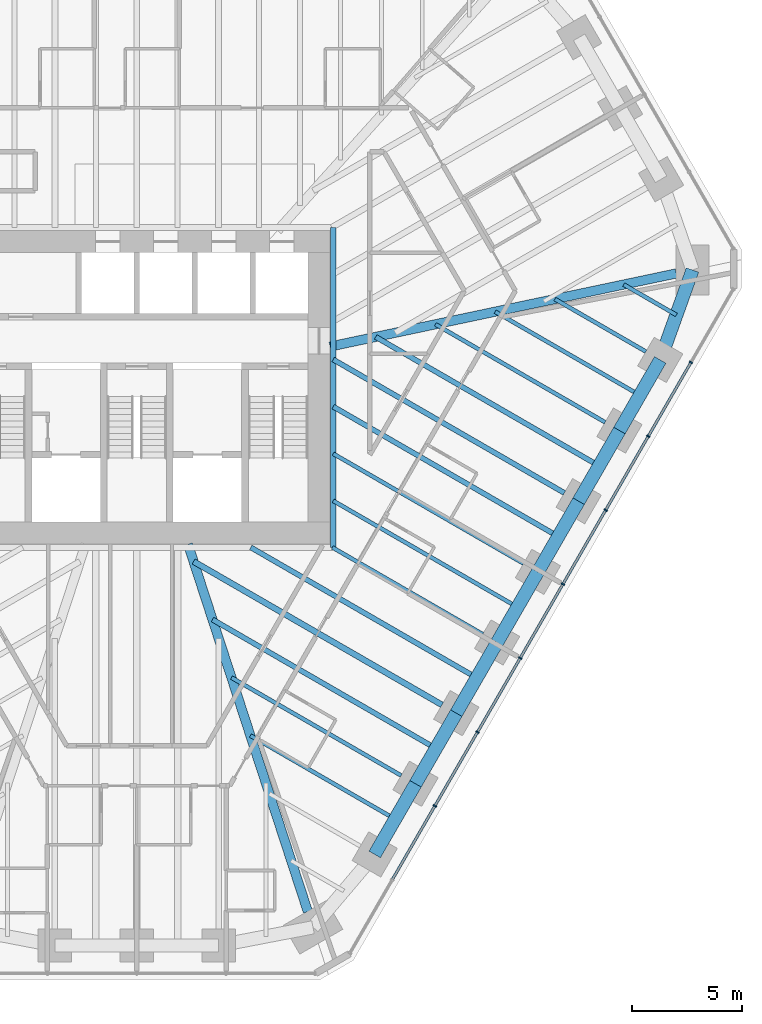
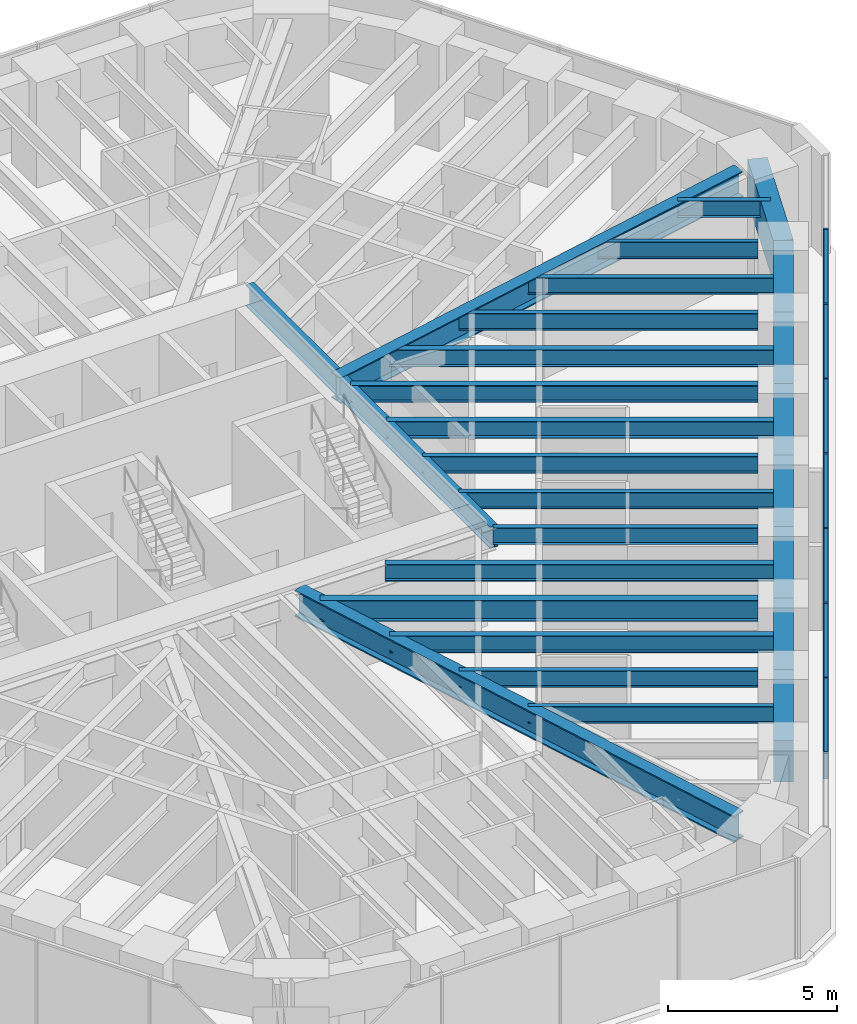
# One storey, part 5 of 16: 26 beams, 14 members, 1 element without a shape of its own.
"""IFC4 building model written with IfcOpenShell, lengths in metres."""

from ifc_helpers import new_model, si_unit, direction, frame, origin, origin_2d, place, context, subcontext, project, spatial, rectangle, i_section, extrude, material, material_profile, profile_set, type_object, element, aggregate, save


model = new_model("IFC4")

# Units and contexts
model_context = context("Model", 3, precision=1e-05, world=origin(), true_north=direction((0.0, 1.0)))
body_context = subcontext(model_context, "Body", "Model", "MODEL_VIEW")
ifc_project = project(units=[si_unit("LENGTHUNIT", "METRE"), si_unit("AREAUNIT", "SQUARE_METRE"), si_unit("VOLUMEUNIT", "CUBIC_METRE"), si_unit("PLANEANGLEUNIT", "RADIAN"), si_unit("MASSUNIT", "GRAM", prefix="KILO")], contexts=[model_context])

# Site, building, storey
site_placement = place(None, origin())
site = spatial("IfcSite", under=ifc_project, at=site_placement, CompositionType="ELEMENT")
building_placement = place(site_placement, origin())
building = spatial("IfcBuilding", under=site, at=building_placement, Name="Sandreach Pilgrim Tower", CompositionType="ELEMENT")
storey_placement = place(building_placement, frame((0.0, 0.0, 190.800048828125)))
storey = spatial("IfcBuildingStorey", under=building, at=storey_placement, Name="L47", CompositionType="ELEMENT", Elevation=190.800048828125)

# Curtain wall, members
ifc_material_1 = material(Name="Aluminium framed curtain wall", Category="aluminium")
curtain_wall_type = type_object("IfcCurtainWallType", Name="Upper hotel tower curtain wall", PredefinedType="NOTDEFINED", material=ifc_material_1)
curtain_wall_placement = place(storey_placement, origin())
curtain_wall = element("IfcCurtainWall", 1, at=curtain_wall_placement, inside=storey, type_object=curtain_wall_type, Name="CW-3 L47 SE", PredefinedType="NOTDEFINED")
ifc_material_2 = material(Name="Aluminium extrusion", Category="aluminium")
ifc_material_profile_1 = material_profile(ifc_material_2, rectangle(XDim=0.06494140625, YDim=0.159912109375, at=origin_2d()), Name="CW-3M 65X160")
ifc_profile_set_1 = profile_set([ifc_material_profile_1], Name="Aluminium extrusion")
member_type_1 = type_object("IfcMemberType", Name="CW-3 mullion", PredefinedType="MULLION", material=ifc_profile_set_1)
member_1_placement = place(storey_placement, frame((25.087890625, 1.13330078125, 0.0), z_axis=(0.0, 0.0, 1.0), x_axis=(-0.5, -0.866025403784, 0.0)))
member_1 = element("IfcMember", 2, at=member_1_placement, type_object=member_type_1, Name="CW-3 mullion 2", PredefinedType="MULLION", context=body_context, shape_type="SweptSolid", body=[
    extrude(rectangle(XDim=0.06494140625, YDim=0.159912109375, at=origin_2d()), origin(), (0.0, 0.0, 1.0), 3.639892578125),
])
member_2_placement = place(storey_placement, frame((23.15576171875, -2.21337890625, 0.0), z_axis=(0.0, 0.0, 1.0), x_axis=(-0.5, -0.866025403784, 0.0)))
member_2 = element("IfcMember", 3, at=member_2_placement, type_object=member_type_1, Name="CW-3 mullion 3", PredefinedType="MULLION", context=body_context, shape_type="SweptSolid", body=[
    extrude(rectangle(XDim=0.06494140625, YDim=0.159912109375, at=origin_2d()), origin(), (0.0, 0.0, 1.0), 3.639892578125),
])
member_3_placement = place(storey_placement, frame((21.223388671875, -5.56005859375, 0.0), z_axis=(0.0, 0.0, 1.0), x_axis=(-0.5, -0.866025403784, 0.0)))
member_3 = element("IfcMember", 4, at=member_3_placement, type_object=member_type_1, Name="CW-3 mullion 4", PredefinedType="MULLION", context=body_context, shape_type="SweptSolid", body=[
    extrude(rectangle(XDim=0.06494140625, YDim=0.159912109375, at=origin_2d()), origin(), (0.0, 0.0, 1.0), 3.639892578125),
])
member_4_placement = place(storey_placement, frame((19.291259765625, -8.90673828125, 0.0), z_axis=(0.0, 0.0, 1.0), x_axis=(-0.5, -0.866025403784, 0.0)))
member_4 = element("IfcMember", 5, at=member_4_placement, type_object=member_type_1, Name="CW-3 mullion 5", PredefinedType="MULLION", context=body_context, shape_type="SweptSolid", body=[
    extrude(rectangle(XDim=0.06494140625, YDim=0.159912109375, at=origin_2d()), origin(), (0.0, 0.0, 1.0), 3.639892578125),
])
member_5_placement = place(storey_placement, frame((17.359130859375, -12.25341796875, 0.0), z_axis=(0.0, 0.0, 1.0), x_axis=(-0.5, -0.866025403784, 0.0)))
member_5 = element("IfcMember", 6, at=member_5_placement, type_object=member_type_1, Name="CW-3 mullion 6", PredefinedType="MULLION", context=body_context, shape_type="SweptSolid", body=[
    extrude(rectangle(XDim=0.06494140625, YDim=0.159912109375, at=origin_2d()), origin(), (0.0, 0.0, 1.0), 3.639892578125),
])
member_6_placement = place(storey_placement, frame((15.4267578125, -15.60009765625, 0.0), z_axis=(0.0, 0.0, 1.0), x_axis=(-0.5, -0.866025403784, 0.0)))
member_6 = element("IfcMember", 7, at=member_6_placement, type_object=member_type_1, Name="CW-3 mullion 7", PredefinedType="MULLION", context=body_context, shape_type="SweptSolid", body=[
    extrude(rectangle(XDim=0.06494140625, YDim=0.159912109375, at=origin_2d()), origin(), (0.0, 0.0, 1.0), 3.639892578125),
])
member_7_placement = place(storey_placement, frame((13.49462890625, -18.94677734375, 0.0), z_axis=(0.0, 0.0, 1.0), x_axis=(-0.5, -0.866025403784, 0.0)))
member_7 = element("IfcMember", 8, at=member_7_placement, type_object=member_type_1, Name="CW-3 mullion 8", PredefinedType="MULLION", context=body_context, shape_type="SweptSolid", body=[
    extrude(rectangle(XDim=0.06494140625, YDim=0.159912109375, at=origin_2d()), origin(), (0.0, 0.0, 1.0), 3.639892578125),
])
ifc_material_3 = material(Name="Aluminium extrusion", Category="aluminium")
ifc_material_profile_2 = material_profile(ifc_material_3, rectangle(XDim=0.1201171875, YDim=0.070068359375, at=origin_2d()), Name="CW-3T 120X70")
ifc_profile_set_2 = profile_set([ifc_material_profile_2], Name="Aluminium extrusion")
member_type_2 = type_object("IfcMemberType", Name="CW-3 transom", PredefinedType="USERDEFINED", material=ifc_profile_set_2)
member_8_placement = place(storey_placement, frame((25.07177734375, 1.105224609375, 3.60498046875), z_axis=(-0.500022797313, -0.86601224135, 0.0), x_axis=(0.86601224135, -0.500022797313, 0.0)))
member_8 = element("IfcMember", 9, at=member_8_placement, type_object=member_type_2, Name="CW-3 head transom 2", ObjectType="TRANSOM", PredefinedType="USERDEFINED", context=body_context, shape_type="SweptSolid", body=[
    extrude(rectangle(XDim=0.1201171875, YDim=0.070068359375, at=origin_2d()), origin(), (0.0, 0.0, 1.0), 3.799560546875),
])
member_9_placement = place(storey_placement, frame((23.139404296875, -2.241455078125, 3.60498046875), z_axis=(-0.499974606132, -0.866040064445, 0.0), x_axis=(0.866040064445, -0.499974606132, 0.0)))
member_9 = element("IfcMember", 10, at=member_9_placement, type_object=member_type_2, Name="CW-3 head transom 3", ObjectType="TRANSOM", PredefinedType="USERDEFINED", context=body_context, shape_type="SweptSolid", body=[
    extrude(rectangle(XDim=0.1201171875, YDim=0.070068359375, at=origin_2d()), origin(), (0.0, 0.0, 1.0), 3.799560546875),
])
member_10_placement = place(storey_placement, frame((21.207275390625, -5.588134765625, 3.60498046875), z_axis=(-0.499974606132, -0.866040064445, 0.0), x_axis=(0.866040064445, -0.499974606132, 0.0)))
member_10 = element("IfcMember", 11, at=member_10_placement, type_object=member_type_2, Name="CW-3 head transom 4", ObjectType="TRANSOM", PredefinedType="USERDEFINED", context=body_context, shape_type="SweptSolid", body=[
    extrude(rectangle(XDim=0.1201171875, YDim=0.070068359375, at=origin_2d()), origin(), (0.0, 0.0, 1.0), 3.799560546875),
])
member_11_placement = place(storey_placement, frame((19.275146484375, -8.934814453125, 3.60498046875), z_axis=(-0.500022797313, -0.86601224135, 0.0), x_axis=(0.86601224135, -0.500022797313, 0.0)))
member_11 = element("IfcMember", 12, at=member_11_placement, type_object=member_type_2, Name="CW-3 head transom 5", ObjectType="TRANSOM", PredefinedType="USERDEFINED", context=body_context, shape_type="SweptSolid", body=[
    extrude(rectangle(XDim=0.1201171875, YDim=0.070068359375, at=origin_2d()), origin(), (0.0, 0.0, 1.0), 3.799560546875),
])
member_12_placement = place(storey_placement, frame((17.3427734375, -12.281494140625, 3.60498046875), z_axis=(-0.499974606132, -0.866040064445, 0.0), x_axis=(0.866040064445, -0.499974606132, 0.0)))
member_12 = element("IfcMember", 13, at=member_12_placement, type_object=member_type_2, Name="CW-3 head transom 6", ObjectType="TRANSOM", PredefinedType="USERDEFINED", context=body_context, shape_type="SweptSolid", body=[
    extrude(rectangle(XDim=0.1201171875, YDim=0.070068359375, at=origin_2d()), origin(), (0.0, 0.0, 1.0), 3.799560546875),
])
member_13_placement = place(storey_placement, frame((15.41064453125, -15.628173828125, 3.60498046875), z_axis=(-0.499974606132, -0.866040064445, 0.0), x_axis=(0.866040064445, -0.499974606132, 0.0)))
member_13 = element("IfcMember", 14, at=member_13_placement, type_object=member_type_2, Name="CW-3 head transom 7", ObjectType="TRANSOM", PredefinedType="USERDEFINED", context=body_context, shape_type="SweptSolid", body=[
    extrude(rectangle(XDim=0.1201171875, YDim=0.070068359375, at=origin_2d()), origin(), (0.0, 0.0, 1.0), 3.799560546875),
])
member_14_placement = place(storey_placement, frame((13.478515625, -18.974853515625, 3.60498046875), z_axis=(-0.500022797313, -0.86601224135, 0.0), x_axis=(0.86601224135, -0.500022797313, 0.0)))
member_14 = element("IfcMember", 15, at=member_14_placement, type_object=member_type_2, Name="CW-3 head transom 8", ObjectType="TRANSOM", PredefinedType="USERDEFINED", context=body_context, shape_type="SweptSolid", body=[
    extrude(rectangle(XDim=0.1201171875, YDim=0.070068359375, at=origin_2d()), origin(), (0.0, 0.0, 1.0), 3.799560546875),
])
aggregate(curtain_wall, [member_1, member_2, member_3, member_4, member_5, member_6, member_7, member_8, member_9, member_10, member_11, member_12, member_13, member_14])

# Beams
ifc_material_4 = material(Name="Steel ASTM A992 Grade 50", Category="steel")
ifc_material_profile_3 = material_profile(ifc_material_4, i_section(OverallWidth=0.2666015625, OverallDepth=0.77978515625, WebThickness=0.0166015625, FlangeThickness=0.030029296875, at=origin_2d()), Name="W30X148")
ifc_profile_set_3 = profile_set([ifc_material_profile_3], Name="Steel ASTM A992 Grade 50")
beam_type_1 = type_object("IfcBeamType", Name="Core edge beam W30X148", PredefinedType="BEAM", material=ifc_profile_set_3)
beam_1_placement = place(storey_placement, frame((8.893310546875, 7.243408203125, 3.25), z_axis=(0.0, -1.0, 0.0), x_axis=(1.0, 0.0, 0.0)))
element("IfcBeam", 16, at=beam_1_placement, inside=storey, type_object=beam_type_1, Name="BM L47 CEE", PredefinedType="BEAM", context=body_context, shape_type="SweptSolid", body=[
    extrude(i_section(OverallWidth=0.2666015625, OverallDepth=0.77978515625, WebThickness=0.0166015625, FlangeThickness=0.030029296875, at=origin_2d()), origin(), (0.0, 0.0, 1.0), 14.48681640625),
])
ifc_material_5 = material(Name="Steel ASTM A992 Grade 50", Category="steel")
ifc_material_profile_4 = material_profile(ifc_material_5, i_section(OverallWidth=0.421630859375, OverallDepth=0.937255859375, WebThickness=0.0224609375, FlangeThickness=0.039794921875, at=origin_2d()), Name="W36X282")
ifc_profile_set_4 = profile_set([ifc_material_profile_4], Name="Steel ASTM A992 Grade 50")
beam_type_2 = type_object("IfcBeamType", Name="Corner girder W36X282", PredefinedType="BEAM", material=ifc_profile_set_4)
beam_2_placement = place(storey_placement, frame((24.422607421875, 5.156494140625, 3.17138671875), z_axis=(-0.978428978804, -0.206583478132, 0.0), x_axis=(0.206583478132, -0.978428978804, 0.0)))
element("IfcBeam", 17, at=beam_2_placement, inside=storey, type_object=beam_type_2, Name="BM L47 CG13", PredefinedType="BEAM", context=body_context, shape_type="SweptSolid", body=[
    extrude(i_section(OverallWidth=0.421630859375, OverallDepth=0.937255859375, WebThickness=0.0224609375, FlangeThickness=0.039794921875, at=origin_2d()), origin(), (0.0, 0.0, 1.0), 16.01806640625),
])
ifc_material_6 = material(Name="Steel ASTM A992 Grade 50", Category="steel")
ifc_material_profile_5 = material_profile(ifc_material_6, i_section(OverallWidth=0.421630859375, OverallDepth=0.95751953125, WebThickness=0.02587890625, FlangeThickness=0.046875, at=origin_2d()), Name="W36X330")
ifc_profile_set_5 = profile_set([ifc_material_profile_5], Name="Steel ASTM A992 Grade 50")
beam_type_3 = type_object("IfcBeamType", Name="Corner girder W36X330", PredefinedType="BEAM", material=ifc_profile_set_5)
beam_3_placement = place(storey_placement, frame((7.745849609375, -23.72900390625, 3.1611328125), z_axis=(-0.310317870968, 0.950632851819, 0.0), x_axis=(-0.950632851819, -0.310317870968, 0.0)))
element("IfcBeam", 18, at=beam_3_placement, inside=storey, type_object=beam_type_3, Name="BM L47 CG22", PredefinedType="BEAM", context=body_context, shape_type="SweptSolid", body=[
    extrude(i_section(OverallWidth=0.421630859375, OverallDepth=0.95751953125, WebThickness=0.02587890625, FlangeThickness=0.046875, at=origin_2d()), origin(), (0.0, 0.0, 1.0), 17.492431640625),
])
ifc_material_7 = material(Name="Steel ASTM A992 Grade 50", Category="steel")
ifc_material_profile_6 = material_profile(ifc_material_7, i_section(OverallWidth=0.1787109375, OverallDepth=0.60205078125, WebThickness=0.010986328125, FlangeThickness=0.014892578125, at=origin_2d()), Name="W24X62")
ifc_profile_set_6 = profile_set([ifc_material_profile_6], Name="Steel ASTM A992 Grade 50")
beam_type_4 = type_object("IfcBeamType", Name="Floor beam W24X62", PredefinedType="BEAM", material=ifc_profile_set_6)
beam_4_placement = place(storey_placement, frame((23.04638671875, 1.6171875, 3.3388671875), z_axis=(-0.86603347311, 0.499986023258, 0.0), x_axis=(-0.499986023258, -0.86603347311, 0.0)))
element("IfcBeam", 19, at=beam_4_placement, inside=storey, type_object=beam_type_4, Name="BM L47 F14", PredefinedType="BEAM", context=body_context, shape_type="SweptSolid", body=[
    extrude(i_section(OverallWidth=0.1787109375, OverallDepth=0.60205078125, WebThickness=0.010986328125, FlangeThickness=0.014892578125, at=origin_2d()), origin(), (0.0, 0.0, 1.0), 4.757568359375),
])
beam_5_placement = place(storey_placement, frame((21.2001953125, -1.58056640625, 3.3388671875), z_axis=(-0.866027448082, 0.499996459156, 0.0), x_axis=(-0.499996459156, -0.866027448082, 0.0)))
element("IfcBeam", 20, at=beam_5_placement, inside=storey, type_object=beam_type_4, Name="BM L47 F15", PredefinedType="BEAM", context=body_context, shape_type="SweptSolid", body=[
    extrude(i_section(OverallWidth=0.1787109375, OverallDepth=0.60205078125, WebThickness=0.010986328125, FlangeThickness=0.014892578125, at=origin_2d()), origin(), (0.0, 0.0, 1.0), 8.86962890625),
])
beam_6_placement = place(storey_placement, frame((17.507568359375, -7.97607421875, 3.3388671875), z_axis=(-0.866027815265, 0.499995823171, 0.0), x_axis=(-0.499995823171, -0.866027815265, 0.0)))
element("IfcBeam", 21, at=beam_6_placement, inside=storey, type_object=beam_type_4, Name="BM L47 F17", PredefinedType="BEAM", context=body_context, shape_type="SweptSolid", body=[
    extrude(i_section(OverallWidth=0.1787109375, OverallDepth=0.60205078125, WebThickness=0.010986328125, FlangeThickness=0.014892578125, at=origin_2d()), origin(), (0.0, 0.0, 1.0), 9.94677734375),
])
beam_7_placement = place(storey_placement, frame((15.661376953125, -11.173828125, 3.3388671875), z_axis=(-0.866038711524, 0.49997694961, 0.0), x_axis=(-0.49997694961, -0.866038711524, 0.0)))
element("IfcBeam", 22, at=beam_7_placement, inside=storey, type_object=beam_type_4, Name="BM L47 F18", PredefinedType="BEAM", context=body_context, shape_type="SweptSolid", body=[
    extrude(i_section(OverallWidth=0.1787109375, OverallDepth=0.60205078125, WebThickness=0.010986328125, FlangeThickness=0.014892578125, at=origin_2d()), origin(), (0.0, 0.0, 1.0), 7.861083984375),
])
beam_8_placement = place(storey_placement, frame((11.96875, -17.569580078125, 3.3388671875), z_axis=(-0.866020566617, 0.500008378126, 0.0), x_axis=(-0.500008378126, -0.866020566617, 0.0)))
element("IfcBeam", 23, at=beam_8_placement, inside=storey, type_object=beam_type_4, Name="BM L47 F20", PredefinedType="BEAM", context=body_context, shape_type="SweptSolid", body=[
    extrude(i_section(OverallWidth=0.1787109375, OverallDepth=0.60205078125, WebThickness=0.010986328125, FlangeThickness=0.014892578125, at=origin_2d()), origin(), (0.0, 0.0, 1.0), 8.869384765625),
])
beam_9_placement = place(storey_placement, frame((24.42626953125, 3.27685546875, 3.3388671875), z_axis=(-0.866046803606, 0.49996293259, 0.0), x_axis=(-0.49996293259, -0.866046803606, 0.0)))
element("IfcBeam", 24, at=beam_9_placement, inside=storey, type_object=beam_type_4, Name="BM L47 FM13", PredefinedType="BEAM", context=body_context, shape_type="SweptSolid", body=[
    extrude(i_section(OverallWidth=0.1787109375, OverallDepth=0.60205078125, WebThickness=0.010986328125, FlangeThickness=0.014892578125, at=origin_2d()), origin(), (0.0, 0.0, 1.0), 2.753662109375),
])
beam_10_placement = place(storey_placement, frame((22.772705078125, -0.356689453125, 3.3388671875), z_axis=(-0.866029704776, 0.49999255039, 0.0), x_axis=(-0.49999255039, -0.866029704776, 0.0)))
element("IfcBeam", 25, at=beam_10_placement, inside=storey, type_object=beam_type_4, Name="BM L47 FM14", PredefinedType="BEAM", context=body_context, shape_type="SweptSolid", body=[
    extrude(i_section(OverallWidth=0.1787109375, OverallDepth=0.60205078125, WebThickness=0.010986328125, FlangeThickness=0.014892578125, at=origin_2d()), origin(), (0.0, 0.0, 1.0), 7.5634765625),
])
beam_11_placement = place(storey_placement, frame((17.23388671875, -9.949951171875, 3.3388671875), z_axis=(-0.866025593094, 0.499999672107, 0.0), x_axis=(-0.499999672107, -0.866025593094, 0.0)))
element("IfcBeam", 26, at=beam_11_placement, inside=storey, type_object=beam_type_4, Name="BM L47 FM17", PredefinedType="BEAM", context=body_context, shape_type="SweptSolid", body=[
    extrude(i_section(OverallWidth=0.1787109375, OverallDepth=0.60205078125, WebThickness=0.010986328125, FlangeThickness=0.014892578125, at=origin_2d()), origin(), (0.0, 0.0, 1.0), 9.630859375),
])
beam_12_placement = place(storey_placement, frame((11.6953125, -19.54345703125, 3.3388671875), z_axis=(-0.866029704776, 0.49999255039, 0.0), x_axis=(-0.49999255039, -0.866029704776, 0.0)))
element("IfcBeam", 27, at=beam_12_placement, inside=storey, type_object=beam_type_4, Name="BM L47 FM20", PredefinedType="BEAM", context=body_context, shape_type="SweptSolid", body=[
    extrude(i_section(OverallWidth=0.1787109375, OverallDepth=0.60205078125, WebThickness=0.010986328125, FlangeThickness=0.014892578125, at=origin_2d()), origin(), (0.0, 0.0, 1.0), 7.5634765625),
])
ifc_material_8 = material(Name="Steel ASTM A992 Grade 50", Category="steel")
ifc_material_profile_7 = material_profile(ifc_material_8, i_section(OverallWidth=0.23046875, OverallDepth=0.6171875, WebThickness=0.01318359375, FlangeThickness=0.022216796875, at=origin_2d()), Name="W24X94")
ifc_profile_set_7 = profile_set([ifc_material_profile_7], Name="Steel ASTM A992 Grade 50")
beam_type_5 = type_object("IfcBeamType", Name="Floor beam W24X94", PredefinedType="BEAM", material=ifc_profile_set_7)
beam_13_placement = place(storey_placement, frame((19.353759765625, -4.7783203125, 3.331298828125), z_axis=(-0.866026713419, 0.49999773164, 0.0), x_axis=(-0.49999773164, -0.866026713419, 0.0)))
element("IfcBeam", 28, at=beam_13_placement, inside=storey, type_object=beam_type_5, Name="BM L47 F16", PredefinedType="BEAM", context=body_context, shape_type="SweptSolid", body=[
    extrude(i_section(OverallWidth=0.23046875, OverallDepth=0.6171875, WebThickness=0.01318359375, FlangeThickness=0.022216796875, at=origin_2d()), origin(), (0.0, 0.0, 1.0), 12.07861328125),
])
beam_14_placement = place(storey_placement, frame((20.926513671875, -3.554443359375, 3.331298828125), z_axis=(-0.866026454974, 0.499998179282, 0.0), x_axis=(-0.499998179282, -0.866026454974, 0.0)))
element("IfcBeam", 29, at=beam_14_placement, inside=storey, type_object=beam_type_5, Name="BM L47 FM15", PredefinedType="BEAM", context=body_context, shape_type="SweptSolid", body=[
    extrude(i_section(OverallWidth=0.23046875, OverallDepth=0.6171875, WebThickness=0.01318359375, FlangeThickness=0.022216796875, at=origin_2d()), origin(), (0.0, 0.0, 1.0), 11.67578125),
])
beam_15_placement = place(storey_placement, frame((19.080322265625, -6.752197265625, 3.331298828125), z_axis=(-0.866030053141, 0.499991946992, 0.0), x_axis=(-0.499991946992, -0.866030053141, 0.0)))
element("IfcBeam", 30, at=beam_15_placement, inside=storey, type_object=beam_type_5, Name="BM L47 FM16", PredefinedType="BEAM", context=body_context, shape_type="SweptSolid", body=[
    extrude(i_section(OverallWidth=0.23046875, OverallDepth=0.6171875, WebThickness=0.01318359375, FlangeThickness=0.022216796875, at=origin_2d()), origin(), (0.0, 0.0, 1.0), 11.762939453125),
])
beam_16_placement = place(storey_placement, frame((15.3876953125, -13.14794921875, 3.331298828125), z_axis=(-0.866022050506, 0.500005808004, 0.0), x_axis=(-0.500005808004, -0.866022050506, 0.0)))
element("IfcBeam", 31, at=beam_16_placement, inside=storey, type_object=beam_type_5, Name="BM L47 FM18", PredefinedType="BEAM", context=body_context, shape_type="SweptSolid", body=[
    extrude(i_section(OverallWidth=0.23046875, OverallDepth=0.6171875, WebThickness=0.01318359375, FlangeThickness=0.022216796875, at=origin_2d()), origin(), (0.0, 0.0, 1.0), 11.808837890625),
])
beam_17_placement = place(storey_placement, frame((13.54150390625, -16.345703125, 3.331298828125), z_axis=(-0.866026454974, 0.499998179282, 0.0), x_axis=(-0.499998179282, -0.866026454974, 0.0)))
element("IfcBeam", 32, at=beam_17_placement, inside=storey, type_object=beam_type_5, Name="BM L47 FM19", PredefinedType="BEAM", context=body_context, shape_type="SweptSolid", body=[
    extrude(i_section(OverallWidth=0.23046875, OverallDepth=0.6171875, WebThickness=0.01318359375, FlangeThickness=0.022216796875, at=origin_2d()), origin(), (0.0, 0.0, 1.0), 11.67578125),
])
ifc_material_9 = material(Name="Steel ASTM A992 Grade 50", Category="steel")
ifc_material_profile_8 = material_profile(ifc_material_9, i_section(OverallWidth=0.2666015625, OverallDepth=0.761962890625, WebThickness=0.014404296875, FlangeThickness=0.021484375, at=origin_2d()), Name="W30X116")
ifc_profile_set_8 = profile_set([ifc_material_profile_8], Name="Steel ASTM A992 Grade 50")
beam_type_6 = type_object("IfcBeamType", Name="Floor beam W30X116", PredefinedType="BEAM", material=ifc_profile_set_8)
beam_18_placement = place(storey_placement, frame((13.815185546875, -14.371826171875, 3.259033203125), z_axis=(-0.866025240073, 0.500000283557, 0.0), x_axis=(-0.500000283557, -0.866025240073, 0.0)))
element("IfcBeam", 33, at=beam_18_placement, inside=storey, type_object=beam_type_6, Name="BM L47 F19", PredefinedType="BEAM", context=body_context, shape_type="SweptSolid", body=[
    extrude(i_section(OverallWidth=0.2666015625, OverallDepth=0.761962890625, WebThickness=0.014404296875, FlangeThickness=0.021484375, at=origin_2d()), origin(), (0.0, 0.0, 1.0), 12.98193359375),
])
ifc_material_10 = material(Name="Concrete 10000 psi", Category="concrete")
ifc_material_profile_9 = material_profile(ifc_material_10, rectangle(XDim=0.60009765625, YDim=1.5, at=origin_2d()), Name="RC600X1500")
ifc_profile_set_9 = profile_set([ifc_material_profile_9], Name="Concrete 10000 psi")
beam_type_7 = type_object("IfcBeamType", Name="Spandrel beam RC600X1500", PredefinedType="SPANDREL", material=ifc_profile_set_9)
beam_19_placement = place(storey_placement, frame((25.156494140625, 5.311279296875, 2.889892578125), z_axis=(-0.337863470932, -0.941195131208, 0.0), x_axis=(0.941195131208, -0.337863470932, 0.0)))
element("IfcBeam", 34, at=beam_19_placement, inside=storey, type_object=beam_type_7, Name="BM L47 SP13", PredefinedType="SPANDREL", context=body_context, shape_type="SweptSolid", body=[
    extrude(rectangle(XDim=0.60009765625, YDim=1.5, at=origin_2d()), origin(), (0.0, 0.0, 1.0), 4.3232421875),
])
for number, where, z_axis, x_axis, name in (
    (35, (23.69580078125, 1.2421875, 2.889892578125), (-0.499993363642, -0.866029235253, 0.0), (0.866029235253, -0.499993363642, 0.0), "BM L47 SP14"),
    (36, (21.849609375, -1.95556640625, 2.889892578125), (-0.499993363642, -0.866029235253, 0.0), (0.866029235253, -0.499993363642, 0.0), "BM L47 SP15"),
    (37, (20.00341796875, -5.1533203125, 2.889892578125), (-0.499993363642, -0.866029235253, 0.0), (0.866029235253, -0.499993363642, 0.0), "BM L47 SP16"),
):
    element("IfcBeam", number, at=place(storey_placement, frame(where, z_axis=z_axis, x_axis=x_axis)), inside=storey, type_object=beam_type_7, Name=name, PredefinedType="SPANDREL", context=body_context, shape_type="SweptSolid", body=[
        extrude(rectangle(XDim=0.60009765625, YDim=1.5, at=origin_2d()), origin(), (0.0, 0.0, 1.0), 3.6923828125),
    ])
for number, where, z_axis, x_axis, name in (
    (38, (18.1572265625, -8.35107421875, 2.889892578125), (-0.500042951019, -0.866000604582, 0.0), (0.866000604582, -0.500042951019, 0.0), "BM L47 SP17"),
    (39, (16.310791015625, -11.548828125, 2.889892578125), (-0.49996473481, -0.866045763194, 0.0), (0.866045763194, -0.49996473481, 0.0), "BM L47 SP18"),
):
    element("IfcBeam", number, at=place(storey_placement, frame(where, z_axis=z_axis, x_axis=x_axis)), inside=storey, type_object=beam_type_7, Name=name, PredefinedType="SPANDREL", context=body_context, shape_type="SweptSolid", body=[
        extrude(rectangle(XDim=0.60009765625, YDim=1.5, at=origin_2d()), origin(), (0.0, 0.0, 1.0), 3.692626953125),
    ])
for number, where, z_axis, x_axis, name in (
    (40, (14.464599609375, -14.746826171875, 2.889892578125), (-0.499993363642, -0.866029235253, 0.0), (0.866029235253, -0.499993363642, 0.0), "BM L47 SP19"),
    (41, (12.618408203125, -17.944580078125, 2.889892578125), (-0.499993363642, -0.866029235253, 0.0), (0.866029235253, -0.499993363642, 0.0), "BM L47 SP20"),
):
    element("IfcBeam", number, at=place(storey_placement, frame(where, z_axis=z_axis, x_axis=x_axis)), inside=storey, type_object=beam_type_7, Name=name, PredefinedType="SPANDREL", context=body_context, shape_type="SweptSolid", body=[
        extrude(rectangle(XDim=0.60009765625, YDim=1.5, at=origin_2d()), origin(), (0.0, 0.0, 1.0), 3.6923828125),
    ])

save(model, "model.ifc")
